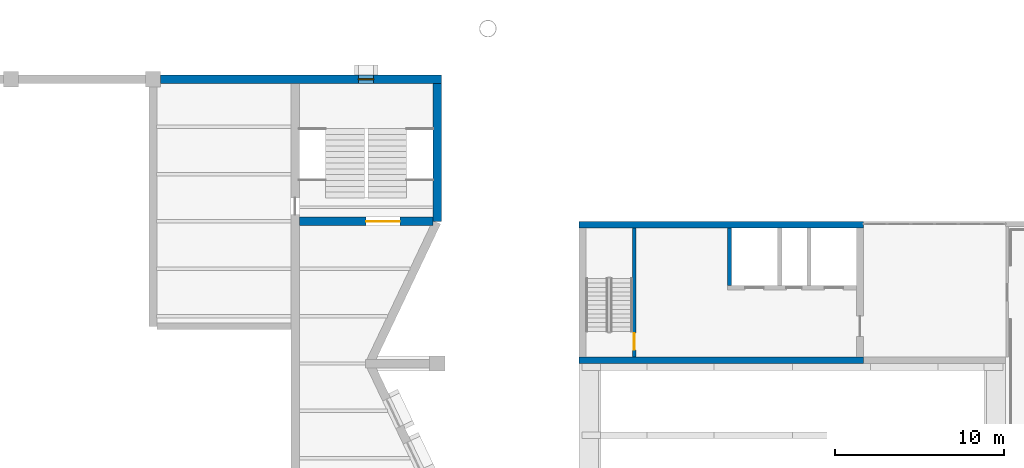
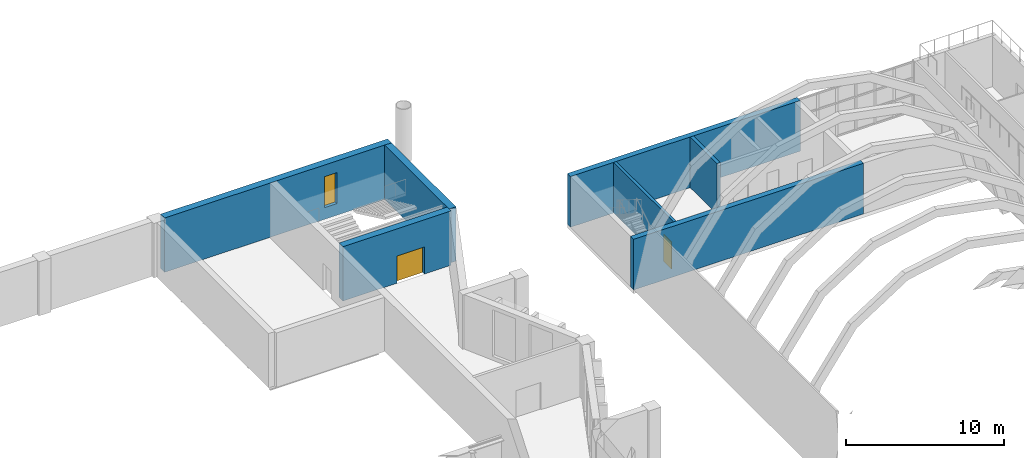
# One storey, part 68 of 96: 7 walls, 2 doors, 1 window, 3 openings.
"""IFC4 building model written with IfcOpenShell, lengths in metres."""

import ifcopenshell
import ifcopenshell.guid

model = None  # the IFC model being written
_history = None  # IfcOwnerHistory: only IFC2X3 demands one
_inside = {}  # id of a spatial element -> (the spatial element, [elements in it])
_under = {}  # id of a project, library or spatial element -> (it, [spatial elements below it])
_declared = {}  # id of a project -> (the project, [libraries it declares])
_typed = {}  # id of a type object -> (the type object, [elements of that type])
_made_of = {}  # id of a material, layer set ... -> (it, [elements and type objects made of it])


def new_model(schema):
    """Start an empty IFC model of exactly this schema.

    Asked for "IFC4X3", IfcOpenShell would pick the latest addendum, in which some entities
    have other attributes; the version numbers below select the first issue.
    IFC2X3 requires an IfcOwnerHistory on every rooted entity: one is made here for all.
    """
    global model, _history
    if schema == "IFC4X3":
        model = ifcopenshell.file(schema_version=(4, 3, 0, 0))
    else:
        model = ifcopenshell.file(schema=schema)
    _inside.clear()
    _under.clear()
    _declared.clear()
    _typed.clear()
    _made_of.clear()
    _history = None
    if model.schema == "IFC2X3":
        org = make("IfcOrganization", Name="unknown")
        user = make(
            "IfcPersonAndOrganization",
            ThePerson=make("IfcPerson", FamilyName="unknown"),
            TheOrganization=org,
        )
        app = make(
            "IfcApplication",
            ApplicationDeveloper=org,
            Version="unknown",
            ApplicationFullName="unknown",
            ApplicationIdentifier="unknown",
        )
        _history = make(
            "IfcOwnerHistory",
            OwningUser=user,
            OwningApplication=app,
            ChangeAction="ADDED",
            CreationDate=0,
        )
    return model


def make(cls, **values):
    """One entity of the class cls with the attributes given. An attribute that is None is left unset."""
    return model.create_entity(
        cls, **{name: value for name, value in values.items() if value is not None}
    )


def rooted(cls, **values):
    """An entity with a GlobalId (a new one), such as an element, a storey or a relation."""
    return make(cls, GlobalId=ifcopenshell.guid.new(), OwnerHistory=_history, **values)


def si_unit(unit_type, name, prefix=None):
    """IfcSIUnit, for example si_unit("LENGTHUNIT", "METRE", prefix="MILLI")."""
    return make("IfcSIUnit", UnitType=unit_type, Prefix=prefix, Name=name)


def assignment(units):
    """IfcUnitAssignment: the units of a project."""
    return None if units is None else make("IfcUnitAssignment", Units=units)


def point(xyz):
    """IfcCartesianPoint."""
    return None if xyz is None else make("IfcCartesianPoint", Coordinates=xyz)


def direction(xyz):
    """IfcDirection."""
    return None if xyz is None else make("IfcDirection", DirectionRatios=xyz)


def frame(location, z_axis=None, x_axis=None):
    """IfcAxis2Placement3D, a coordinate frame: its origin and axes. An axis left out is left unset."""
    return make(
        "IfcAxis2Placement3D",
        Location=point(location),
        Axis=direction(z_axis),
        RefDirection=direction(x_axis),
    )


def frame_2d(location, x_axis=None):
    """IfcAxis2Placement2D, a coordinate frame in the plane: its origin and x axis."""
    return make(
        "IfcAxis2Placement2D", Location=point(location), RefDirection=direction(x_axis)
    )


def origin():
    """The frame at (0, 0, 0) with its axes left unset."""
    return frame((0.0, 0.0, 0.0))


def place(relative_to, where):
    """IfcLocalPlacement: puts the frame where relative to a parent placement (None: the world)."""
    return make(
        "IfcLocalPlacement", PlacementRelTo=relative_to, RelativePlacement=where
    )


def context(
    kind, dimensions, precision=None, world=None, true_north=None, identifier=None
):
    """IfcGeometricRepresentationContext, for example the 3D "Model" context."""
    return make(
        "IfcGeometricRepresentationContext",
        ContextIdentifier=identifier,
        ContextType=kind,
        CoordinateSpaceDimension=dimensions,
        Precision=precision,
        WorldCoordinateSystem=world,
        TrueNorth=true_north,
    )


def subcontext(parent, identifier, kind, view, scale=None):
    """IfcGeometricRepresentationSubContext, for example "Body" below "Model"."""
    return make(
        "IfcGeometricRepresentationSubContext",
        ContextIdentifier=identifier,
        ContextType=kind,
        ParentContext=parent,
        TargetScale=scale,
        TargetView=view,
    )


def project(units=None, contexts=None):
    """IfcProject with its units and contexts."""
    return rooted(
        "IfcProject",
        Name="project",
        RepresentationContexts=contexts,
        UnitsInContext=assignment(units),
    )


def spatial(cls, under=None, at=None, **own):
    """A site, building, storey or space (cls), placed at a placement, below another one or the project."""
    s = rooted(cls, ObjectPlacement=at, **own)
    if under is not None:
        _under.setdefault(under.id(), (under, []))[1].append(s)
    return s


def profile(cls, at=None, kind="AREA", **sizes):
    """A parametric profile (cls). Its sizes go by their IFC names, for example OverallWidth=200.0."""
    return make(cls, ProfileType=kind, Position=at, **sizes)


def rectangle(**sizes):
    """IfcRectangleProfileDef."""
    return profile("IfcRectangleProfileDef", **sizes)


def extrude(swept, where, along, depth):
    """IfcExtrudedAreaSolid: the profile swept, set in the frame where, extruded along a direction by depth."""
    return make(
        "IfcExtrudedAreaSolid",
        SweptArea=swept,
        Position=where,
        ExtrudedDirection=direction(along),
        Depth=depth,
    )


def shape(context_of_items, identifier, shape_type, items):
    """IfcShapeRepresentation: the items that make up one representation, for example the "Body"."""
    return make(
        "IfcShapeRepresentation",
        ContextOfItems=context_of_items,
        RepresentationIdentifier=identifier,
        RepresentationType=shape_type,
        Items=items,
    )


def material(Name=None, Category=None):
    """IfcMaterial."""
    return make("IfcMaterial", Name=Name, Category=Category)


def layer(
    of_material, thickness, ventilated=None, Name=None, Category=None, Priority=None
):
    """IfcMaterialLayer: one layer of a wall or slab, of a material (None: an air gap)."""
    return make(
        "IfcMaterialLayer",
        Material=of_material,
        LayerThickness=thickness,
        IsVentilated=ventilated,
        Name=Name,
        Category=Category,
        Priority=Priority,
    )


def layer_set(layers, Name=None):
    """IfcMaterialLayerSet."""
    return make("IfcMaterialLayerSet", MaterialLayers=layers, LayerSetName=Name)


def made_of(thing, what):
    """Note that an element or type object is made of a material, layer set ...; save() writes the relation."""
    if what is not None:
        _made_of.setdefault(what.id(), (what, []))[1].append(thing)
    return thing


def type_object(cls, material=None, **own):
    """A type object (cls), such as IfcWallType, which elements share."""
    return made_of(rooted(cls, **own), material)


def element(
    cls,
    number,
    at=None,
    inside=None,
    cuts=None,
    type_object=None,
    material=None,
    context=None,
    identifier="Body",
    shape_type=None,
    held_by="IfcProductDefinitionShape",
    body=None,
    shapes=None,
    **own,
):
    """One element of the class cls, such as IfcWall. Its Tag is "e" and its number.

    at: its placement. inside: the storey or other place that contains it. cuts: it is an
    opening in that element (IfcRelVoidsElement). A single representation is given by context,
    identifier, shape_type and body (its items); several are given by shapes. held_by: the class
    of the entity that holds the representations. save() writes the other relations.
    """
    e = rooted(cls, Tag="e%d" % number, ObjectPlacement=at, **own)
    if body is not None:
        shapes = [shape(context, identifier, shape_type, body)]
    if shapes is not None:
        e.Representation = make(held_by, Representations=shapes)
    if inside is not None:
        _inside.setdefault(inside.id(), (inside, []))[1].append(e)
    if cuts is not None:
        rooted(
            "IfcRelVoidsElement", RelatingBuildingElement=cuts, RelatedOpeningElement=e
        )
    if type_object is not None:
        _typed.setdefault(type_object.id(), (type_object, []))[1].append(e)
    return made_of(e, material)


def fill(opening, filler):
    """IfcRelFillsElement: the door or window that sits in an opening."""
    return rooted(
        "IfcRelFillsElement",
        RelatingOpeningElement=opening,
        RelatedBuildingElement=filler,
    )


def aggregate(whole, parts):
    """IfcRelAggregates: a whole, such as a stair, and the parts it consists of."""
    return rooted("IfcRelAggregates", RelatingObject=whole, RelatedObjects=parts)


def save(model, path):
    """Write the relations noted so far, then the file.

    IfcRelAggregates (storeys below a building ...), IfcRelContainedInSpatialStructure (elements
    in a storey), IfcRelDefinesByType, IfcRelAssociatesMaterial and IfcRelDeclares: one each for
    every whole, place, type object, material and project.
    """
    for whole, parts in _under.values():
        aggregate(whole, parts)
    for where, things in _inside.values():
        rooted(
            "IfcRelContainedInSpatialStructure",
            RelatedElements=things,
            RelatingStructure=where,
        )
    for kind, things in _typed.values():
        rooted("IfcRelDefinesByType", RelatedObjects=things, RelatingType=kind)
    for what, things in _made_of.values():
        rooted("IfcRelAssociatesMaterial", RelatedObjects=things, RelatingMaterial=what)
    for by, libraries in _declared.values():
        rooted("IfcRelDeclares", RelatingContext=by, RelatedDefinitions=libraries)
    model.write(path)


model = new_model("IFC4")

# Units and contexts
model_context = context("Model", 3, precision=1e-05, world=origin(), true_north=direction((0.0, 1.0)))
body_context = subcontext(model_context, "Body", "Model", "MODEL_VIEW")
ifc_project = project(units=[si_unit("LENGTHUNIT", "METRE"), si_unit("AREAUNIT", "SQUARE_METRE"), si_unit("VOLUMEUNIT", "CUBIC_METRE"), si_unit("PLANEANGLEUNIT", "RADIAN"), si_unit("MASSUNIT", "GRAM", prefix="KILO")], contexts=[model_context])

# Site, building, storey
site_placement = place(None, origin())
site = spatial("IfcSite", under=ifc_project, at=site_placement, CompositionType="ELEMENT")
building_placement = place(site_placement, origin())
building = spatial("IfcBuilding", under=site, at=building_placement, Name="Cresset Court Congress Hotel", CompositionType="ELEMENT")
storey_placement = place(building_placement, frame((0.0, 0.0, 6.0)))
storey = spatial("IfcBuildingStorey", under=building, at=storey_placement, Name="L01", CompositionType="ELEMENT", Elevation=6.0)

# Wall, opening, door
ifc_material_1 = material(Name="Concrete C50", Category="concrete")
ifc_layer_1 = layer(ifc_material_1, 0.5)
ifc_layer_set_1 = layer_set([ifc_layer_1], Name="Hall inner wall 500")
wall_type_1 = type_object("IfcWallType", Name="Hall inner wall 500", PredefinedType="SOLIDWALL", material=ifc_layer_set_1)
wall_1_placement = place(storey_placement, frame((109.449951171875, 109.199951171875, 0.0), z_axis=(0.0, 0.0, 1.0), x_axis=(1.0, 0.0, 0.0)))
wall_1 = element("IfcWall", 1, at=wall_1_placement, inside=storey, type_object=wall_type_1, Name="Wall CC-C4SL01", PredefinedType="SOLIDWALL", context=body_context, shape_type="SweptSolid", body=[
    extrude(rectangle(XDim=7.900146484375, YDim=0.5, at=frame_2d((3.9501953125, 0.0))), origin(), (0.0, 0.0, 1.0), 4.199951171875),
])
opening_1_placement = place(wall_1_placement, frame((3.949951171875, 0.0, 0.0)))
opening_1 = element("IfcOpeningElement", 2, at=opening_1_placement, cuts=wall_1, Name="Opening DC-01-04", PredefinedType="OPENING", context=body_context, shape_type="SweptSolid", body=[
    extrude(rectangle(XDim=2.0, YDim=2.10009765625, at=frame_2d((1.0, 1.050048828125))), frame((0.0, 0.260009765625, 0.0), z_axis=(0.0, -1.0, 0.0), x_axis=(1.0, 0.0, 0.0)), (0.0, 0.0, 1.0), 0.52001953125),
])
ifc_material_2 = material(Name="Timber", Category="wood")
door_type_1 = type_object("IfcDoorType", Name="Double swing door 2000x2100 FD60", OperationType="DOUBLE_DOOR_DOUBLE_SWING", PredefinedType="DOOR", material=ifc_material_2)
door_1_placement = place(opening_1_placement, origin())
door_1 = element("IfcDoor", 3, at=door_1_placement, inside=storey, type_object=door_type_1, Name="Stair door ST-C4 L01", OperationType="DOUBLE_DOOR_DOUBLE_SWING", OverallHeight=2.10009765625, OverallWidth=2.0, PredefinedType="DOOR", context=body_context, shape_type="SweptSolid", body=[
    extrude(rectangle(XDim=2.0, YDim=2.10009765625, at=frame_2d((1.0, 1.050048828125))), frame((0.0, 0.02490234375, 0.0), z_axis=(0.0, -1.0, 0.0), x_axis=(1.0, 0.0, 0.0)), (0.0, 0.0, 1.0), 0.050048828125),
])
fill(opening_1, door_1)

# Wall
ifc_material_3 = material(Name="Limestone-faced precast concrete C50", Category="masonry")
ifc_layer_2 = layer(ifc_material_3, 0.5)
ifc_layer_set_2 = layer_set([ifc_layer_2], Name="Hall perimeter wall 500")
wall_type_2 = type_object("IfcWallType", Name="Hall perimeter wall 500", PredefinedType="SOLIDWALL", material=ifc_layer_set_2)
wall_2_placement = place(storey_placement, frame((117.60009765625, 117.35009765625, 0.0), z_axis=(0.0, 0.0, 1.0), x_axis=(0.0, -1.0, 0.0)))
element("IfcWall", 4, at=wall_2_placement, inside=storey, type_object=wall_type_2, Name="Wall CW-EL01-5.2", PredefinedType="SOLIDWALL", context=body_context, shape_type="SweptSolid", body=[
    extrude(rectangle(XDim=8.150146484375, YDim=0.5, at=frame_2d((4.0751953125, 0.0))), origin(), (0.0, 0.0, 1.0), 4.199951171875),
])

# Wall, opening, window
wall_3_placement = place(storey_placement, frame((101.25, 117.60009765625, 0.0), z_axis=(0.0, 0.0, 1.0), x_axis=(1.0, 0.0, 0.0)))
wall_3 = element("IfcWall", 5, at=wall_3_placement, inside=storey, type_object=wall_type_2, Name="Wall CW-NL01-1", PredefinedType="SOLIDWALL", context=body_context, shape_type="SweptSolid", body=[
    extrude(rectangle(XDim=16.60009765625, YDim=0.5, at=frame_2d((8.300048828125, 0.0))), origin(), (0.0, 0.0, 1.0), 4.199951171875),
])
opening_2_placement = place(wall_3_placement, frame((11.699951171875, 0.0, 0.89990234375)))
opening_2 = element("IfcOpeningElement", 6, at=opening_2_placement, cuts=wall_3, Name="Opening NC-01-C4", PredefinedType="OPENING", context=body_context, shape_type="SweptSolid", body=[
    extrude(rectangle(XDim=0.89990234375, YDim=2.39990234375, at=frame_2d((0.449951171875, 1.199951171875))), frame((0.0, 0.260009765625, 0.0), z_axis=(0.0, -1.0, 0.0), x_axis=(1.0, 0.0, 0.0)), (0.0, 0.0, 1.0), 0.52001953125),
])
ifc_material_4 = material(Name="Aluminium and glass", Category="aluminium")
window_type = type_object("IfcWindowType", Name="Fixed window 900x2400", PartitioningType="SINGLE_PANEL", PredefinedType="WINDOW", material=ifc_material_4)
window_placement = place(opening_2_placement, origin())
window = element("IfcWindow", 7, at=window_placement, inside=storey, type_object=window_type, Name="Window NC-01-C4", OverallHeight=2.39990234375, OverallWidth=0.89990234375, PartitioningType="SINGLE_PANEL", PredefinedType="WINDOW", context=body_context, shape_type="SweptSolid", body=[
    extrude(rectangle(XDim=0.89990234375, YDim=2.39990234375, at=frame_2d((0.449951171875, 1.199951171875))), frame((0.0, 0.030029296875, 0.0), z_axis=(0.0, -1.0, 0.0), x_axis=(1.0, 0.0, 0.0)), (0.0, 0.0, 1.0), 0.06005859375),
])
fill(opening_2, window)

# Walls
ifc_material_5 = material(Name="Concrete C50", Category="concrete")
ifc_layer_3 = layer(ifc_material_5, 0.39990234375)
ifc_layer_set_3 = layer_set([ifc_layer_3], Name="RC core wall 400 C50")
wall_type_3 = type_object("IfcWallType", Name="RC core wall 400 C50", PredefinedType="SOLIDWALL", material=ifc_layer_set_3)
wall_4_placement = place(storey_placement, frame((126.0, 101.0, 0.0), z_axis=(0.0, 0.0, 1.0), x_axis=(1.0, 0.0, 0.0)))
element("IfcWall", 8, at=wall_4_placement, inside=storey, type_object=wall_type_3, Name="Core south wall", PredefinedType="SOLIDWALL", context=body_context, shape_type="SweptSolid", body=[
    extrude(rectangle(XDim=16.800048828125, YDim=0.39990234375, at=frame_2d((8.39990234375, 0.0))), origin(), (0.0, 0.0, 1.0), 3.919921875),
])
ifc_material_6 = material(Name="Concrete C50", Category="concrete")
ifc_layer_4 = layer(ifc_material_6, 0.39990234375)
ifc_layer_set_4 = layer_set([ifc_layer_4], Name="RC core wall 400 C50 external")
wall_type_4 = type_object("IfcWallType", Name="RC core wall 400 C50 external", PredefinedType="SOLIDWALL", material=ifc_layer_set_4)
wall_5_placement = place(storey_placement, frame((126.0, 109.0, 0.0), z_axis=(0.0, 0.0, 1.0), x_axis=(1.0, 0.0, 0.0)))
element("IfcWall", 9, at=wall_5_placement, inside=storey, type_object=wall_type_4, Name="Core north wall", PredefinedType="SOLIDWALL", context=body_context, shape_type="SweptSolid", body=[
    extrude(rectangle(XDim=16.800048828125, YDim=0.39990234375, at=frame_2d((8.39990234375, 0.0))), origin(), (0.0, 0.0, 1.0), 3.919921875),
])
ifc_material_7 = material(Name="Concrete C50", Category="concrete")
ifc_layer_5 = layer(ifc_material_7, 0.25)
ifc_layer_set_5 = layer_set([ifc_layer_5], Name="RC lift shaft wall 250 C50")
wall_type_5 = type_object("IfcWallType", Name="RC lift shaft wall 250 C50", PredefinedType="SOLIDWALL", material=ifc_layer_set_5)
wall_6_placement = place(storey_placement, frame((134.875, 105.39990234375, 0.0), z_axis=(0.0, 0.0, 1.0), x_axis=(0.0, 1.0, 0.0)))
element("IfcWall", 10, at=wall_6_placement, inside=storey, type_object=wall_type_5, Name="Lift shaft west wall", PredefinedType="SOLIDWALL", context=body_context, shape_type="SweptSolid", body=[
    extrude(rectangle(XDim=3.400146484375, YDim=0.25, at=frame_2d((1.7001953125, 0.0))), origin(), (0.0, 0.0, 1.0), 3.919921875),
])

# Wall, opening, door
ifc_material_8 = material(Name="Concrete C40", Category="concrete")
ifc_layer_6 = layer(ifc_material_8, 0.199951171875)
ifc_layer_set_6 = layer_set([ifc_layer_6], Name="RC stair enclosure wall 200 C40")
wall_type_6 = type_object("IfcWallType", Name="RC stair enclosure wall 200 C40", PredefinedType="SOLIDWALL", material=ifc_layer_set_6)
wall_7_placement = place(storey_placement, frame((129.25, 101.199951171875, 0.0), z_axis=(0.0, 0.0, 1.0), x_axis=(0.0, 1.0, 0.0)))
wall_7 = element("IfcWall", 11, at=wall_7_placement, inside=storey, type_object=wall_type_6, Name="ST-E1 stair enclosure wall", PredefinedType="SOLIDWALL", context=body_context, shape_type="SweptSolid", body=[
    extrude(rectangle(XDim=7.60009765625, YDim=0.199951171875, at=frame_2d((3.800048828125, 0.0))), origin(), (0.0, 0.0, 1.0), 3.919921875),
])
opening_3_placement = place(wall_7_placement, frame((0.39990234375, 0.0, 0.0)))
opening_3 = element("IfcOpeningElement", 12, at=opening_3_placement, cuts=wall_7, Name="Opening DE-01-05", PredefinedType="OPENING", context=body_context, shape_type="SweptSolid", body=[
    extrude(rectangle(XDim=1.0, YDim=2.10009765625, at=frame_2d((0.5, 1.050048828125))), frame((0.0, 0.10986328125, 0.0), z_axis=(0.0, -1.0, 0.0), x_axis=(1.0, 0.0, 0.0)), (0.0, 0.0, 1.0), 0.219970703125),
])
ifc_material_9 = material(Name="Timber door leaf", Category="wood")
door_type_2 = type_object("IfcDoorType", Name="Stair door 1000x2100", OperationType="SINGLE_SWING_LEFT", PredefinedType="DOOR", material=ifc_material_9)
door_2_placement = place(opening_3_placement, origin())
door_2 = element("IfcDoor", 13, at=door_2_placement, inside=storey, type_object=door_type_2, Name="Stair door DE-01-05", OperationType="SINGLE_SWING_LEFT", OverallHeight=2.10009765625, OverallWidth=1.0, PredefinedType="DOOR", context=body_context, shape_type="SweptSolid", body=[
    extrude(rectangle(XDim=1.0, YDim=2.10009765625, at=frame_2d((0.5, 1.050048828125))), frame((0.0, 0.02490234375, 0.0), z_axis=(0.0, -1.0, 0.0), x_axis=(1.0, 0.0, 0.0)), (0.0, 0.0, 1.0), 0.050048828125),
])
fill(opening_3, door_2)

save(model, "model.ifc")
